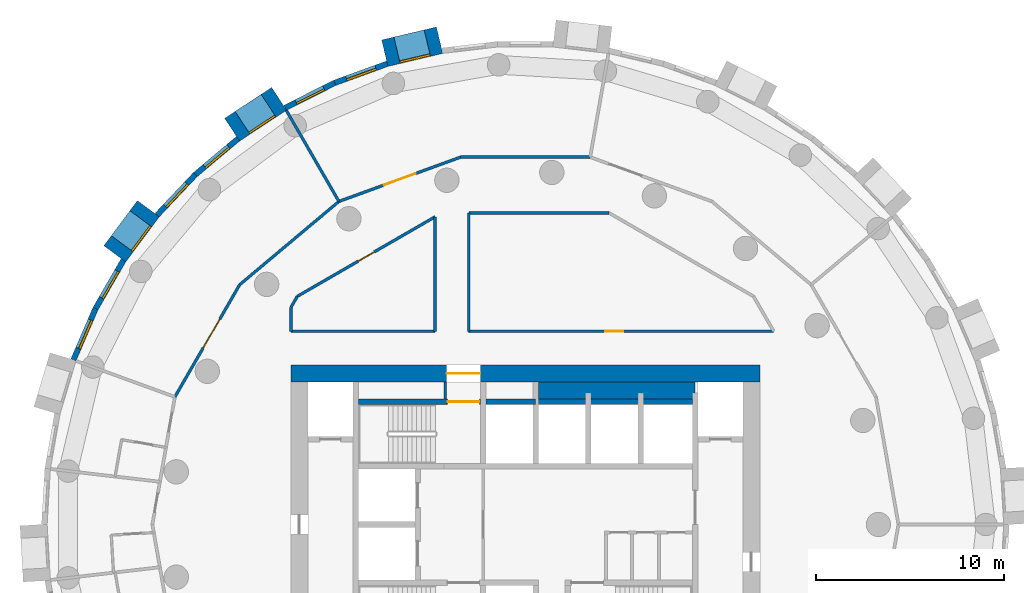
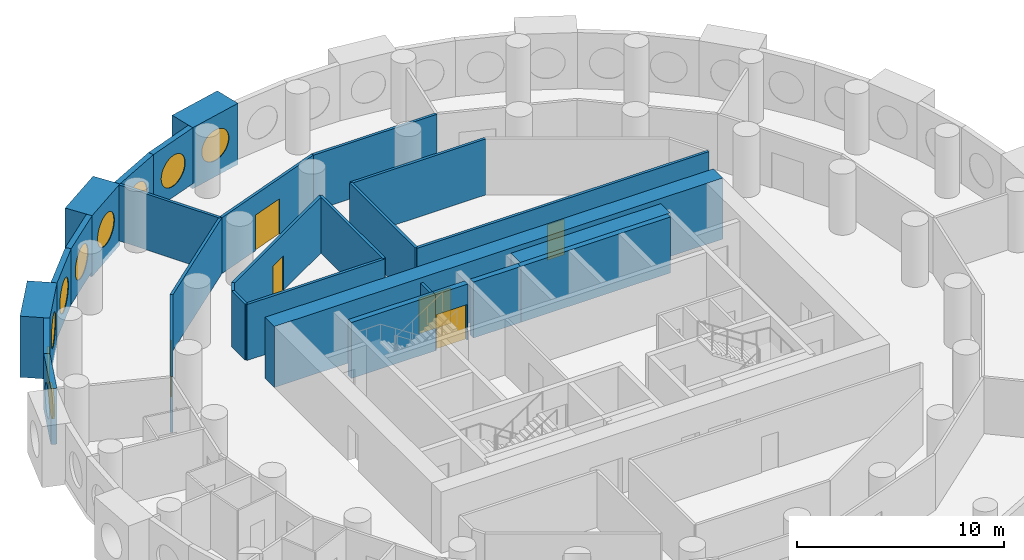
# One storey, part 6 of 9: 29 walls, 9 windows, 6 doors, 15 openings.
"""IFC4 building model written with IfcOpenShell, lengths in metres."""

from ifc_helpers import new_model, si_unit, direction, frame, frame_2d, origin, origin_2d, place, context, subcontext, project, spatial, rectangle, circle, extrude, material, layer, layer_set, type_object, element, fill, save


model = new_model("IFC4")

# Units and contexts
model_context = context("Model", 3, precision=1e-05, world=origin(), true_north=direction((0.0, 1.0)))
body_context = subcontext(model_context, "Body", "Model", "MODEL_VIEW")
ifc_project = project(units=[si_unit("LENGTHUNIT", "METRE"), si_unit("AREAUNIT", "SQUARE_METRE"), si_unit("VOLUMEUNIT", "CUBIC_METRE"), si_unit("PLANEANGLEUNIT", "RADIAN"), si_unit("MASSUNIT", "GRAM", prefix="KILO")], contexts=[model_context])

# Site, building, storey
site_placement = place(None, origin())
site = spatial("IfcSite", under=ifc_project, at=site_placement, CompositionType="ELEMENT")
building_placement = place(site_placement, origin())
building = spatial("IfcBuilding", under=site, at=building_placement, Name="Tracery Tower", CompositionType="ELEMENT")
storey_placement = place(building_placement, frame((0.0, 0.0, 201.60009765625)))
storey = spatial("IfcBuildingStorey", under=building, at=storey_placement, Name="L52", CompositionType="ELEMENT", Elevation=201.60009765625)

# Walls
ifc_material_1 = material(Name="Plasterboard on steel studs", Category="steel")
ifc_layer_1 = layer(ifc_material_1, 0.14990234375)
ifc_layer_set_1 = layer_set([ifc_layer_1], Name="Core room partition 150")
wall_type_1 = type_object("IfcWallType", Name="Core room partition 150", PredefinedType="SOLIDWALL", material=ifc_layer_set_1)
wall_1_placement = place(storey_placement, frame((-4.27490234375, 6.699951171875, 0.0), z_axis=(0.0, 0.0, 1.0), x_axis=(0.0, 1.0, 0.0)))
element("IfcWall", 1, at=wall_1_placement, inside=storey, type_object=wall_type_1, Name="L52 F N room", PredefinedType="SOLIDWALL", context=body_context, shape_type="SweptSolid", body=[
    extrude(rectangle(XDim=0.900146484375, YDim=0.14990234375, at=frame_2d((0.4501953125, 0.0))), origin(), (0.0, 0.0, 1.0), 3.2998046875),
])
ifc_material_2 = material(Name="Concrete C50/60", Category="concrete")
ifc_layer_2 = layer(ifc_material_2, 0.89990234375)
ifc_layer_set_2 = layer_set([ifc_layer_2], Name="Core strip wall 900 C50")
wall_type_2 = type_object("IfcWallType", Name="Core strip wall 900 C50", PredefinedType="SOLIDWALL", material=ifc_layer_set_2)
wall_2_placement = place(storey_placement, frame((0.699951171875, 7.14990234375, 0.0), z_axis=(0.0, 0.0, 1.0), x_axis=(1.0, 0.0, 0.0)))
element("IfcWall", 2, at=wall_2_placement, inside=storey, type_object=wall_type_2, Name="L52 F thick N E", PredefinedType="SOLIDWALL", context=body_context, shape_type="SweptSolid", body=[
    extrude(rectangle(XDim=8.35009765625, YDim=0.89990234375, at=frame_2d((4.175048828125, 0.0))), origin(), (0.0, 0.0, 1.0), 3.2998046875),
])

# Wall, opening, door
ifc_material_3 = material(Name="Concrete C50/60", Category="concrete")
ifc_layer_3 = layer(ifc_material_3, 0.89990234375)
ifc_layer_set_3 = layer_set([ifc_layer_3], Name="Core wall 900 C50")
wall_type_3 = type_object("IfcWallType", Name="Core wall 900 C50", PredefinedType="SOLIDWALL", material=ifc_layer_set_3)
wall_3_placement = place(storey_placement, frame((-12.5, 8.050048828125, 0.0), z_axis=(0.0, 0.0, 1.0), x_axis=(1.0, 0.0, 0.0)))
wall_3 = element("IfcWall", 3, at=wall_3_placement, inside=storey, type_object=wall_type_3, Name="L52 outer N", PredefinedType="SOLIDWALL", context=body_context, shape_type="SweptSolid", body=[
    extrude(rectangle(XDim=25.0, YDim=0.89990234375, at=frame_2d((12.5, 0.0))), origin(), (0.0, 0.0, 1.0), 3.599853515625),
])
opening_1_placement = place(wall_3_placement, frame((8.300048828125, 0.0, 0.0)))
opening_1 = element("IfcOpeningElement", 4, at=opening_1_placement, cuts=wall_3, Name="Opening KD13", PredefinedType="OPENING", context=body_context, shape_type="SweptSolid", body=[
    extrude(rectangle(XDim=1.800048828125, YDim=2.10009765625, at=frame_2d((0.89990234375, 1.050048828125))), frame((0.0, 0.449951171875, 0.0), z_axis=(0.0, -1.0, 0.0), x_axis=(1.0, 0.0, 0.0)), (0.0, 0.0, 1.0), 0.89990234375),
])
ifc_material_4 = material(Name="Steel fire door", Category="steel")
door_type_1 = type_object("IfcDoorType", Name="Core exit door 1800 double", OperationType="NOTDEFINED", PredefinedType="DOOR", material=ifc_material_4)
door_1_placement = place(opening_1_placement, origin())
door_1 = element("IfcDoor", 5, at=door_1_placement, inside=storey, type_object=door_type_1, Name="Core exit door", OperationType="DOUBLE_DOOR_SINGLE_SWING", OverallHeight=2.10009765625, OverallWidth=1.800048828125, PredefinedType="DOOR", context=body_context, shape_type="SweptSolid", body=[
    extrude(rectangle(XDim=1.800048828125, YDim=2.10009765625, at=frame_2d((0.89990234375, 1.050048828125))), frame((0.0, 0.02490234375, 0.0), z_axis=(0.0, -1.0, 0.0), x_axis=(1.0, 0.0, 0.0)), (0.0, 0.0, 1.0), 0.050048828125),
])
fill(opening_1, door_1)

# Wall, opening, window
ifc_material_5 = material(Name="Precast concrete C50/60", Category="concrete")
ifc_layer_4 = layer(ifc_material_5, 1.449951171875)
ifc_layer_set_4 = layer_set([ifc_layer_4], Name="Deep-set bay unit 3000 x 3600, slab edge 300")
wall_type_4 = type_object("IfcWallType", Name="Deep-set bay unit 3000 x 3600, slab edge 300", PredefinedType="ELEMENTEDWALL", material=ifc_layer_set_4)
wall_4_placement = place(storey_placement, frame((-4.57763671875, 25.8193359375, -0.300048828125), z_axis=(0.0, 0.0, 1.0), x_axis=(-0.973042333261, -0.23062657627, 0.0)))
wall_4 = element("IfcWall", 6, at=wall_4_placement, inside=storey, type_object=wall_type_4, Name="Deep-set bay unit 16 at L52", PredefinedType="ELEMENTEDWALL", context=body_context, shape_type="SweptSolid", body=[
    extrude(rectangle(XDim=3.0, YDim=1.449951171875, at=frame_2d((1.5, 0.0))), origin(), (0.0, 0.0, 1.0), 3.599853515625),
])
opening_2_placement = place(wall_4_placement, frame((1.5, 0.0, 1.85009765625)))
opening_2 = element("IfcOpeningElement", 7, at=opening_2_placement, cuts=wall_4, Name="Opening WN1", PredefinedType="OPENING", context=body_context, shape_type="SweptSolid", body=[
    extrude(circle(Radius=0.9000244140625, at=origin_2d()), frame((0.0, 0.73486328125, 0.0), z_axis=(0.0, -1.0, 0.0), x_axis=(1.0, 0.0, 0.0)), (0.0, 0.0, 1.0), 1.469970703125),
])
ifc_material_6 = material(Name="Aluminium frame with tinted double glazing", Category="aluminium")
window_type = type_object("IfcWindowType", Name="Round window 1800", PartitioningType="SINGLE_PANEL", PredefinedType="WINDOW", material=ifc_material_6)
window_1_placement = place(opening_2_placement, origin())
window_1 = element("IfcWindow", 8, at=window_1_placement, inside=storey, type_object=window_type, Name="Round window 16 at L52", OverallHeight=1.800048828125, OverallWidth=1.800048828125, PartitioningType="SINGLE_PANEL", PredefinedType="WINDOW", context=body_context, shape_type="SweptSolid", body=[
    extrude(circle(Radius=0.9000244140625, at=origin_2d()), frame((0.0, 0.69482421875, 0.0), z_axis=(0.0, -1.0, 0.0), x_axis=(1.0, 0.0, 0.0)), (0.0, 0.0, 1.0), 0.10009765625),
])
fill(opening_2, window_1)

wall_5_placement = place(storey_placement, frame((-13.13232421875, 22.696533203125, -0.300048828125), z_axis=(0.0, 0.0, 1.0), x_axis=(-0.835514416706, -0.549468524554, 0.0)))
wall_5 = element("IfcWall", 9, at=wall_5_placement, inside=storey, type_object=wall_type_4, Name="Deep-set bay unit 19 at L52", PredefinedType="ELEMENTEDWALL", context=body_context, shape_type="SweptSolid", body=[
    extrude(rectangle(XDim=3.0, YDim=1.449951171875, at=frame_2d((1.5, 0.0))), origin(), (0.0, 0.0, 1.0), 3.599853515625),
])
opening_3_placement = place(wall_5_placement, frame((1.5, 0.0, 1.85009765625)))
opening_3 = element("IfcOpeningElement", 10, at=opening_3_placement, cuts=wall_5, Name="Opening WN1", PredefinedType="OPENING", context=body_context, shape_type="SweptSolid", body=[
    extrude(circle(Radius=0.9000244140625, at=origin_2d()), frame((0.0, 0.73486328125, 0.0), z_axis=(0.0, -1.0, 0.0), x_axis=(1.0, 0.0, 0.0)), (0.0, 0.0, 1.0), 1.469970703125),
])
window_2_placement = place(opening_3_placement, origin())
window_2 = element("IfcWindow", 11, at=window_2_placement, inside=storey, type_object=window_type, Name="Round window 19 at L52", OverallHeight=1.800048828125, OverallWidth=1.800048828125, PartitioningType="SINGLE_PANEL", PredefinedType="WINDOW", context=body_context, shape_type="SweptSolid", body=[
    extrude(circle(Radius=0.9000244140625, at=origin_2d()), frame((0.0, 0.69482421875, 0.0), z_axis=(0.0, -1.0, 0.0), x_axis=(1.0, 0.0, 0.0)), (0.0, 0.0, 1.0), 0.10009765625),
])
fill(opening_3, window_2)

wall_6_placement = place(storey_placement, frame((-20.10302734375, 16.836181640625, -0.300048828125), z_axis=(0.0, 0.0, 1.0), x_axis=(-0.597183717734, -0.802104486506, 0.0)))
wall_6 = element("IfcWall", 12, at=wall_6_placement, inside=storey, type_object=wall_type_4, Name="Deep-set bay unit 22 at L52", PredefinedType="ELEMENTEDWALL", context=body_context, shape_type="SweptSolid", body=[
    extrude(rectangle(XDim=3.0, YDim=1.449951171875, at=frame_2d((1.5, 0.0))), origin(), (0.0, 0.0, 1.0), 3.599853515625),
])
opening_4_placement = place(wall_6_placement, frame((1.5, 0.0, 1.85009765625)))
opening_4 = element("IfcOpeningElement", 13, at=opening_4_placement, cuts=wall_6, Name="Opening WN1", PredefinedType="OPENING", context=body_context, shape_type="SweptSolid", body=[
    extrude(circle(Radius=0.9000244140625, at=origin_2d()), frame((0.0, 0.73486328125, 0.0), z_axis=(0.0, -1.0, 0.0), x_axis=(1.0, 0.0, 0.0)), (0.0, 0.0, 1.0), 1.469970703125),
])
window_3_placement = place(opening_4_placement, origin())
window_3 = element("IfcWindow", 14, at=window_3_placement, inside=storey, type_object=window_type, Name="Round window 22 at L52", OverallHeight=1.800048828125, OverallWidth=1.800048828125, PartitioningType="SINGLE_PANEL", PredefinedType="WINDOW", context=body_context, shape_type="SweptSolid", body=[
    extrude(circle(Radius=0.9000244140625, at=origin_2d()), frame((0.0, 0.69482421875, 0.0), z_axis=(0.0, -1.0, 0.0), x_axis=(1.0, 0.0, 0.0)), (0.0, 0.0, 1.0), 0.10009765625),
])
fill(opening_4, window_3)

ifc_material_7 = material(Name="Precast concrete C50/60", Category="concrete")
ifc_layer_5 = layer(ifc_material_7, 0.300048828125)
ifc_layer_set_5 = layer_set([ifc_layer_5], Name="Facade panel 3000 x 3300")
wall_type_5 = type_object("IfcWallType", Name="Facade panel 3000 x 3300", PredefinedType="SOLIDWALL", material=ifc_layer_set_5)
wall_7_placement = place(storey_placement, frame((-7.36474609375, 24.566650390625, 0.0), z_axis=(0.0, 0.0, 1.0), x_axis=(-0.939690282133, -0.342026568652, 0.0)))
wall_7 = element("IfcWall", 15, at=wall_7_placement, inside=storey, type_object=wall_type_5, Name="Facade panel 17 at L52", PredefinedType="SOLIDWALL", context=body_context, shape_type="SweptSolid", body=[
    extrude(rectangle(XDim=2.972900390625, YDim=0.300048828125, at=frame_2d((1.486328125, 0.0))), origin(), (0.0, 0.0, 1.0), 3.2998046875),
])
opening_5_placement = place(wall_7_placement, frame((1.486328125, 0.0, 1.5498046875)))
opening_5 = element("IfcOpeningElement", 16, at=opening_5_placement, cuts=wall_7, Name="Opening WN1", PredefinedType="OPENING", context=body_context, shape_type="SweptSolid", body=[
    extrude(circle(Radius=0.9000244140625, at=origin_2d()), frame((0.0, 0.159912109375, 0.0), z_axis=(0.0, -1.0, 0.0), x_axis=(1.0, 0.0, 0.0)), (0.0, 0.0, 1.0), 0.320068359375),
])
window_4_placement = place(opening_5_placement, origin())
window_4 = element("IfcWindow", 17, at=window_4_placement, inside=storey, type_object=window_type, Name="Round window 17 at L52", OverallHeight=1.800048828125, OverallWidth=1.800048828125, PartitioningType="SINGLE_PANEL", PredefinedType="WINDOW", context=body_context, shape_type="SweptSolid", body=[
    extrude(circle(Radius=0.9000244140625, at=origin_2d()), frame((0.0, 0.1201171875, 0.0), z_axis=(0.0, -1.0, 0.0), x_axis=(1.0, 0.0, 0.0)), (0.0, 0.0, 1.0), 0.10009765625),
])
fill(opening_5, window_4)

wall_8_placement = place(storey_placement, frame((-10.158447265625, 23.5498046875, 0.0), z_axis=(0.0, 0.0, 1.0), x_axis=(-0.893637442555, -0.448789618045, 0.0)))
wall_8 = element("IfcWall", 18, at=wall_8_placement, inside=storey, type_object=wall_type_5, Name="Facade panel 18 at L52", PredefinedType="SOLIDWALL", context=body_context, shape_type="SweptSolid", body=[
    extrude(rectangle(XDim=2.972900390625, YDim=0.300048828125, at=frame_2d((1.486328125, 0.0))), origin(), (0.0, 0.0, 1.0), 3.2998046875),
])
opening_6_placement = place(wall_8_placement, frame((1.486328125, 0.0, 1.5498046875)))
opening_6 = element("IfcOpeningElement", 19, at=opening_6_placement, cuts=wall_8, Name="Opening WN1", PredefinedType="OPENING", context=body_context, shape_type="SweptSolid", body=[
    extrude(circle(Radius=0.9000244140625, at=origin_2d()), frame((0.0, 0.159912109375, 0.0), z_axis=(0.0, -1.0, 0.0), x_axis=(1.0, 0.0, 0.0)), (0.0, 0.0, 1.0), 0.320068359375),
])
window_5_placement = place(opening_6_placement, origin())
window_5 = element("IfcWindow", 20, at=window_5_placement, inside=storey, type_object=window_type, Name="Round window 18 at L52", OverallHeight=1.800048828125, OverallWidth=1.800048828125, PartitioningType="SINGLE_PANEL", PredefinedType="WINDOW", context=body_context, shape_type="SweptSolid", body=[
    extrude(circle(Radius=0.9000244140625, at=origin_2d()), frame((0.0, 0.1201171875, 0.0), z_axis=(0.0, -1.0, 0.0), x_axis=(1.0, 0.0, 0.0)), (0.0, 0.0, 1.0), 0.10009765625),
])
fill(opening_6, window_5)

wall_9_placement = place(storey_placement, frame((-15.322998046875, 20.566162109375, 0.0), z_axis=(0.0, 0.0, 1.0), x_axis=(-0.766049350637, -0.642781761089, 0.0)))
wall_9 = element("IfcWall", 21, at=wall_9_placement, inside=storey, type_object=wall_type_5, Name="Facade panel 20 at L52", PredefinedType="SOLIDWALL", context=body_context, shape_type="SweptSolid", body=[
    extrude(rectangle(XDim=2.972900390625, YDim=0.300048828125, at=frame_2d((1.486328125, 0.0))), origin(), (0.0, 0.0, 1.0), 3.2998046875),
])
opening_7_placement = place(wall_9_placement, frame((1.486328125, 0.0, 1.5498046875)))
opening_7 = element("IfcOpeningElement", 22, at=opening_7_placement, cuts=wall_9, Name="Opening WN1", PredefinedType="OPENING", context=body_context, shape_type="SweptSolid", body=[
    extrude(circle(Radius=0.9000244140625, at=origin_2d()), frame((0.0, 0.159912109375, 0.0), z_axis=(0.0, -1.0, 0.0), x_axis=(1.0, 0.0, 0.0)), (0.0, 0.0, 1.0), 0.320068359375),
])
window_6_placement = place(opening_7_placement, origin())
window_6 = element("IfcWindow", 23, at=window_6_placement, inside=storey, type_object=window_type, Name="Round window 20 at L52", OverallHeight=1.800048828125, OverallWidth=1.800048828125, PartitioningType="SINGLE_PANEL", PredefinedType="WINDOW", context=body_context, shape_type="SweptSolid", body=[
    extrude(circle(Radius=0.9000244140625, at=origin_2d()), frame((0.0, 0.1201171875, 0.0), z_axis=(0.0, -1.0, 0.0), x_axis=(1.0, 0.0, 0.0)), (0.0, 0.0, 1.0), 0.10009765625),
])
fill(opening_7, window_6)

wall_10_placement = place(storey_placement, frame((-17.600341796875, 18.6552734375, 0.0), z_axis=(0.0, 0.0, 1.0), x_axis=(-0.686235184166, -0.727379730273, 0.0)))
wall_10 = element("IfcWall", 24, at=wall_10_placement, inside=storey, type_object=wall_type_5, Name="Facade panel 21 at L52", PredefinedType="SOLIDWALL", context=body_context, shape_type="SweptSolid", body=[
    extrude(rectangle(XDim=2.972900390625, YDim=0.300048828125, at=frame_2d((1.486328125, 0.0))), origin(), (0.0, 0.0, 1.0), 3.2998046875),
])
opening_8_placement = place(wall_10_placement, frame((1.486328125, 0.0, 1.5498046875)))
opening_8 = element("IfcOpeningElement", 25, at=opening_8_placement, cuts=wall_10, Name="Opening WN1", PredefinedType="OPENING", context=body_context, shape_type="SweptSolid", body=[
    extrude(circle(Radius=0.9000244140625, at=origin_2d()), frame((0.0, 0.159912109375, 0.0), z_axis=(0.0, -1.0, 0.0), x_axis=(1.0, 0.0, 0.0)), (0.0, 0.0, 1.0), 0.320068359375),
])
window_7_placement = place(opening_8_placement, origin())
window_7 = element("IfcWindow", 26, at=window_7_placement, inside=storey, type_object=window_type, Name="Round window 21 at L52", OverallHeight=1.800048828125, OverallWidth=1.800048828125, PartitioningType="SINGLE_PANEL", PredefinedType="WINDOW", context=body_context, shape_type="SweptSolid", body=[
    extrude(circle(Radius=0.9000244140625, at=origin_2d()), frame((0.0, 0.1201171875, 0.0), z_axis=(0.0, -1.0, 0.0), x_axis=(1.0, 0.0, 0.0)), (0.0, 0.0, 1.0), 0.10009765625),
])
fill(opening_8, window_7)

wall_11_placement = place(storey_placement, frame((-21.432861328125, 14.085205078125, 0.0), z_axis=(0.0, 0.0, 1.0), x_axis=(-0.500016263033, -0.866016014115, 0.0)))
wall_11 = element("IfcWall", 27, at=wall_11_placement, inside=storey, type_object=wall_type_5, Name="Facade panel 23 at L52", PredefinedType="SOLIDWALL", context=body_context, shape_type="SweptSolid", body=[
    extrude(rectangle(XDim=2.97314453125, YDim=0.300048828125, at=frame_2d((1.486572265625, 0.0))), origin(), (0.0, 0.0, 1.0), 3.2998046875),
])
opening_9_placement = place(wall_11_placement, frame((1.486328125, 0.0, 1.5498046875)))
opening_9 = element("IfcOpeningElement", 28, at=opening_9_placement, cuts=wall_11, Name="Opening WN1", PredefinedType="OPENING", context=body_context, shape_type="SweptSolid", body=[
    extrude(circle(Radius=0.9000244140625, at=origin_2d()), frame((0.0, 0.159912109375, 0.0), z_axis=(0.0, -1.0, 0.0), x_axis=(1.0, 0.0, 0.0)), (0.0, 0.0, 1.0), 0.320068359375),
])
window_8_placement = place(opening_9_placement, origin())
window_8 = element("IfcWindow", 29, at=window_8_placement, inside=storey, type_object=window_type, Name="Round window 23 at L52", OverallHeight=1.800048828125, OverallWidth=1.800048828125, PartitioningType="SINGLE_PANEL", PredefinedType="WINDOW", context=body_context, shape_type="SweptSolid", body=[
    extrude(circle(Radius=0.9000244140625, at=origin_2d()), frame((0.0, 0.1201171875, 0.0), z_axis=(0.0, -1.0, 0.0), x_axis=(1.0, 0.0, 0.0)), (0.0, 0.0, 1.0), 0.10009765625),
])
fill(opening_9, window_8)

wall_12_placement = place(storey_placement, frame((-22.91943359375, 11.510498046875, 0.0), z_axis=(0.0, 0.0, 1.0), x_axis=(-0.396078892785, -0.918216483565, 0.0)))
wall_12 = element("IfcWall", 30, at=wall_12_placement, inside=storey, type_object=wall_type_5, Name="Facade panel 24 at L52", PredefinedType="SOLIDWALL", context=body_context, shape_type="SweptSolid", body=[
    extrude(rectangle(XDim=2.972900390625, YDim=0.300048828125, at=frame_2d((1.486328125, 0.0))), origin(), (0.0, 0.0, 1.0), 3.2998046875),
])
opening_10_placement = place(wall_12_placement, frame((1.486328125, 0.0, 1.5498046875)))
opening_10 = element("IfcOpeningElement", 31, at=opening_10_placement, cuts=wall_12, Name="Opening WN1", PredefinedType="OPENING", context=body_context, shape_type="SweptSolid", body=[
    extrude(circle(Radius=0.9000244140625, at=origin_2d()), frame((0.0, 0.159912109375, 0.0), z_axis=(0.0, -1.0, 0.0), x_axis=(1.0, 0.0, 0.0)), (0.0, 0.0, 1.0), 0.320068359375),
])
window_9_placement = place(opening_10_placement, origin())
window_9 = element("IfcWindow", 32, at=window_9_placement, inside=storey, type_object=window_type, Name="Round window 24 at L52", OverallHeight=1.800048828125, OverallWidth=1.800048828125, PartitioningType="SINGLE_PANEL", PredefinedType="WINDOW", context=body_context, shape_type="SweptSolid", body=[
    extrude(circle(Radius=0.9000244140625, at=origin_2d()), frame((0.0, 0.1201171875, 0.0), z_axis=(0.0, -1.0, 0.0), x_axis=(1.0, 0.0, 0.0)), (0.0, 0.0, 1.0), 0.10009765625),
])
fill(opening_10, window_9)

# Walls
ifc_material_8 = material(Name="Plasterboard on steel studs", Category="steel")
ifc_layer_6 = layer(ifc_material_8, 0.14990234375)
ifc_layer_set_6 = layer_set([ifc_layer_6], Name="Partition 150 acoustic unit wall")
wall_type_6 = type_object("IfcWallType", Name="Partition 150 acoustic unit wall", PredefinedType="PARTITIONING", material=ifc_layer_set_6)
wall_13_placement = place(storey_placement, frame((-12.7490234375, 22.0810546875, 0.0), z_axis=(0.0, 0.0, 1.0), x_axis=(0.500010020406, -0.866019618423, 0.0)))
element("IfcWall", 33, at=wall_13_placement, inside=storey, type_object=wall_type_6, Name="Unit wall RB8-043", PredefinedType="PARTITIONING", context=body_context, shape_type="SweptSolid", body=[
    extrude(rectangle(XDim=5.60986328125, YDim=0.14990234375, at=frame_2d((2.804931640625, 0.0))), origin(), (0.0, 0.0, 1.0), 3.2998046875),
])
ifc_material_9 = material(Name="Plasterboard on steel studs", Category="steel")
ifc_layer_7 = layer(ifc_material_9, 0.14990234375)
ifc_layer_set_7 = layer_set([ifc_layer_7], Name="Partition 150 corridor wall")
wall_type_7 = type_object("IfcWallType", Name="Partition 150 corridor wall", PredefinedType="PARTITIONING", material=ifc_layer_set_7)
wall_14_placement = place(storey_placement, frame((-12.50390625, 10.300048828125, 0.0), z_axis=(0.0, 0.0, 1.0), x_axis=(1.0, 0.0, 0.0)))
element("IfcWall", 34, at=wall_14_placement, inside=storey, type_object=wall_type_7, Name="Corridor wall RB8-001", PredefinedType="PARTITIONING", context=body_context, shape_type="SweptSolid", body=[
    extrude(rectangle(XDim=7.68701171875, YDim=0.14990234375, at=frame_2d((3.843505859375, 0.0))), origin(), (0.0, 0.0, 1.0), 3.2998046875),
])

# Wall, opening, door
wall_15_placement = place(storey_placement, frame((-3.02490234375, 10.300048828125, 0.0), z_axis=(0.0, 0.0, 1.0), x_axis=(1.0, 0.0, 0.0)))
wall_15 = element("IfcWall", 35, at=wall_15_placement, inside=storey, type_object=wall_type_7, Name="Corridor wall RB8-002", PredefinedType="PARTITIONING", context=body_context, shape_type="SweptSolid", body=[
    extrude(rectangle(XDim=16.261962890625, YDim=0.14990234375, at=frame_2d((8.130859375, 0.0))), origin(), (0.0, 0.0, 1.0), 3.2998046875),
])
opening_11_placement = place(wall_15_placement, frame((7.2880859375, 0.0, 0.0)))
opening_11 = element("IfcOpeningElement", 36, at=opening_11_placement, cuts=wall_15, Name="Opening RB8-02", PredefinedType="OPENING", context=body_context, shape_type="SweptSolid", body=[
    extrude(rectangle(XDim=0.949951171875, YDim=2.10009765625, at=frame_2d((0.47509765625, 1.050048828125))), frame((0.0, 0.074951171875, 0.0), z_axis=(0.0, -1.0, 0.0), x_axis=(1.0, 0.0, 0.0)), (0.0, 0.0, 1.0), 0.14990234375),
])
ifc_material_10 = material(Name="Timber door leaf", Category="wood")
door_type_2 = type_object("IfcDoorType", Name="Door store 950", OperationType="NOTDEFINED", PredefinedType="DOOR", material=ifc_material_10)
door_2_placement = place(opening_11_placement, origin())
door_2 = element("IfcDoor", 37, at=door_2_placement, inside=storey, type_object=door_type_2, Name="Store door RB8-02", OperationType="SINGLE_SWING_RIGHT", OverallHeight=2.10009765625, OverallWidth=0.949951171875, PredefinedType="DOOR", context=body_context, shape_type="SweptSolid", body=[
    extrude(rectangle(XDim=0.949951171875, YDim=2.10009765625, at=frame_2d((0.47509765625, 1.050048828125))), frame((0.0, 0.02490234375, 0.0), z_axis=(0.0, -1.0, 0.0), x_axis=(1.0, 0.0, 0.0)), (0.0, 0.0, 1.0), 0.050048828125),
])
fill(opening_11, door_2)

# Wall
wall_16_placement = place(storey_placement, frame((-4.821044921875, 10.300048828125, 0.0), z_axis=(0.0, 0.0, 1.0), x_axis=(0.0, 1.0, 0.0)))
element("IfcWall", 38, at=wall_16_placement, inside=storey, type_object=wall_type_7, Name="Corridor wall RB8-013", PredefinedType="PARTITIONING", context=body_context, shape_type="SweptSolid", body=[
    extrude(rectangle(XDim=6.100830078125, YDim=0.14990234375, at=frame_2d((3.05029296875, 0.0))), origin(), (0.0, 0.0, 1.0), 3.2998046875),
])

# Wall, opening, door
wall_17_placement = place(storey_placement, frame((-12.162109375, 12.162109375, 0.0), z_axis=(0.0, 0.0, 1.0), x_axis=(0.866004766557, 0.500035743023, 0.0)))
wall_17 = element("IfcWall", 39, at=wall_17_placement, inside=storey, type_object=wall_type_7, Name="Corridor wall RB8-014", PredefinedType="PARTITIONING", context=body_context, shape_type="SweptSolid", body=[
    extrude(rectangle(XDim=8.47705078125, YDim=0.14990234375, at=frame_2d((4.238525390625, 0.0))), origin(), (0.0, 0.0, 1.0), 3.2998046875),
])
opening_12_placement = place(wall_17_placement, frame((3.739013671875, 0.0, 0.0)))
opening_12 = element("IfcOpeningElement", 40, at=opening_12_placement, cuts=wall_17, Name="Opening RB8-01", PredefinedType="OPENING", context=body_context, shape_type="SweptSolid", body=[
    extrude(rectangle(XDim=1.0, YDim=2.0400390625, at=frame_2d((0.5, 1.02001953125))), frame((0.0, 0.074951171875, 0.0), z_axis=(0.0, -1.0, 0.0), x_axis=(1.0, 0.0, 0.0)), (0.0, 0.0, 1.0), 0.14990234375),
])
ifc_material_11 = material(Name="Timber door leaf", Category="wood")
door_type_3 = type_object("IfcDoorType", Name="Door communal room 1000", OperationType="NOTDEFINED", PredefinedType="DOOR", material=ifc_material_11)
door_3_placement = place(opening_12_placement, origin())
door_3 = element("IfcDoor", 41, at=door_3_placement, inside=storey, type_object=door_type_3, Name="Communal room door RB8-01", OperationType="SINGLE_SWING_LEFT", OverallHeight=2.0400390625, OverallWidth=1.0, PredefinedType="DOOR", context=body_context, shape_type="SweptSolid", body=[
    extrude(rectangle(XDim=1.0, YDim=2.0400390625, at=frame_2d((0.5, 1.02001953125))), frame((0.0, 0.02490234375, 0.0), z_axis=(0.0, -1.0, 0.0), x_axis=(1.0, 0.0, 0.0)), (0.0, 0.0, 1.0), 0.050048828125),
])
fill(opening_12, door_3)

# Walls
wall_18_placement = place(storey_placement, frame((-3.02099609375, 16.614013671875, 0.0), z_axis=(0.0, 0.0, 1.0), x_axis=(1.0, 0.0, 0.0)))
element("IfcWall", 42, at=wall_18_placement, inside=storey, type_object=wall_type_7, Name="Corridor wall RB8-016", PredefinedType="PARTITIONING", context=body_context, shape_type="SweptSolid", body=[
    extrude(rectangle(XDim=7.472900390625, YDim=0.14990234375, at=frame_2d((3.736328125, 0.0))), origin(), (0.0, 0.0, 1.0), 3.2998046875),
])
wall_19_placement = place(storey_placement, frame((-3.02099609375, 10.300048828125, 0.0), z_axis=(0.0, 0.0, 1.0), x_axis=(0.0, 1.0, 0.0)))
element("IfcWall", 43, at=wall_19_placement, inside=storey, type_object=wall_type_7, Name="Corridor wall RB8-017", PredefinedType="PARTITIONING", context=body_context, shape_type="SweptSolid", body=[
    extrude(rectangle(XDim=6.31396484375, YDim=0.14990234375, at=frame_2d((3.156982421875, 0.0))), origin(), (0.0, 0.0, 1.0), 3.2998046875),
])

# Wall, opening, door
wall_20_placement = place(storey_placement, frame((-9.944091796875, 17.222900390625, 0.0), z_axis=(0.0, 0.0, 1.0), x_axis=(0.939672634566, 0.342075050021, 0.0)))
wall_20 = element("IfcWall", 44, at=wall_20_placement, inside=storey, type_object=wall_type_7, Name="Corridor wall RB8-019", PredefinedType="PARTITIONING", context=body_context, shape_type="SweptSolid", body=[
    extrude(rectangle(XDim=6.907958984375, YDim=0.14990234375, at=frame_2d((3.4541015625, 0.0))), origin(), (0.0, 0.0, 1.0), 3.2998046875),
])
opening_13_placement = place(wall_20_placement, frame((2.553955078125, 0.0, 0.0)))
opening_13 = element("IfcOpeningElement", 45, at=opening_13_placement, cuts=wall_20, Name="Opening RB8-07", PredefinedType="OPENING", context=body_context, shape_type="SweptSolid", body=[
    extrude(rectangle(XDim=1.800048828125, YDim=2.10009765625, at=frame_2d((0.89990234375, 1.050048828125))), frame((0.0, 0.074951171875, 0.0), z_axis=(0.0, -1.0, 0.0), x_axis=(1.0, 0.0, 0.0)), (0.0, 0.0, 1.0), 0.14990234375),
])
ifc_material_12 = material(Name="Timber door leaf", Category="wood")
door_type_4 = type_object("IfcDoorType", Name="Door double lounge 1800", OperationType="NOTDEFINED", PredefinedType="DOOR", material=ifc_material_12)
door_4_placement = place(opening_13_placement, origin())
door_4 = element("IfcDoor", 46, at=door_4_placement, inside=storey, type_object=door_type_4, Name="Double lounge door RB8-07", OperationType="DOUBLE_DOOR_SINGLE_SWING", OverallHeight=2.10009765625, OverallWidth=1.800048828125, PredefinedType="DOOR", context=body_context, shape_type="SweptSolid", body=[
    extrude(rectangle(XDim=1.800048828125, YDim=2.10009765625, at=frame_2d((0.89990234375, 1.050048828125))), frame((0.0, 0.02490234375, 0.0), z_axis=(0.0, -1.0, 0.0), x_axis=(1.0, 0.0, 0.0)), (0.0, 0.0, 1.0), 0.050048828125),
])
fill(opening_13, door_4)

# Walls
wall_21_placement = place(storey_placement, frame((-3.452880859375, 19.5859375, 0.0), z_axis=(0.0, 0.0, 1.0), x_axis=(1.0, 0.0, 0.0)))
element("IfcWall", 47, at=wall_21_placement, inside=storey, type_object=wall_type_7, Name="Corridor wall RB8-020", PredefinedType="PARTITIONING", context=body_context, shape_type="SweptSolid", body=[
    extrude(rectangle(XDim=6.90576171875, YDim=0.14990234375, at=frame_2d((3.452880859375, 0.0))), origin(), (0.0, 0.0, 1.0), 3.2998046875),
])
wall_22_placement = place(storey_placement, frame((-15.23486328125, 12.78369140625, 0.0), z_axis=(0.0, 0.0, 1.0), x_axis=(0.766064078986, 0.642764207845, 0.0)))
element("IfcWall", 48, at=wall_22_placement, inside=storey, type_object=wall_type_7, Name="Corridor wall RB8-021", PredefinedType="PARTITIONING", context=body_context, shape_type="SweptSolid", body=[
    extrude(rectangle(XDim=6.906494140625, YDim=0.14990234375, at=frame_2d((3.453125, 0.0))), origin(), (0.0, 0.0, 1.0), 3.2998046875),
])
wall_23_placement = place(storey_placement, frame((-12.5, 11.576904296875, 0.0), z_axis=(0.0, 0.0, 1.0), x_axis=(0.500024767483, 0.866011103799, 0.0)))
element("IfcWall", 49, at=wall_23_placement, inside=storey, type_object=wall_type_7, Name="Corridor wall RB8-022", PredefinedType="PARTITIONING", context=body_context, shape_type="SweptSolid", body=[
    extrude(rectangle(XDim=0.67578125, YDim=0.14990234375, at=frame_2d((0.337890625, 0.0))), origin(), (0.0, 0.0, 1.0), 3.2998046875),
])
wall_24_placement = place(storey_placement, frame((-12.5, 10.300048828125, 0.0), z_axis=(0.0, 0.0, 1.0), x_axis=(0.0, 1.0, 0.0)))
element("IfcWall", 50, at=wall_24_placement, inside=storey, type_object=wall_type_7, Name="Corridor wall RB8-023", PredefinedType="PARTITIONING", context=body_context, shape_type="SweptSolid", body=[
    extrude(rectangle(XDim=1.27685546875, YDim=0.14990234375, at=frame_2d((0.638427734375, 0.0))), origin(), (0.0, 0.0, 1.0), 3.2998046875),
])

# Wall, opening, door
wall_25_placement = place(storey_placement, frame((-18.68798828125, 6.802001953125, 0.0), z_axis=(0.0, 0.0, 1.0), x_axis=(0.499914202267, 0.866074933462, 0.0)))
wall_25 = element("IfcWall", 51, at=wall_25_placement, inside=storey, type_object=wall_type_7, Name="Corridor wall RB8-026", PredefinedType="PARTITIONING", context=body_context, shape_type="SweptSolid", body=[
    extrude(rectangle(XDim=6.906982421875, YDim=0.14990234375, at=frame_2d((3.45361328125, 0.0))), origin(), (0.0, 0.0, 1.0), 3.2998046875),
])
opening_14_placement = place(wall_25_placement, frame((3.00390625, 0.0, 0.0)))
opening_14 = element("IfcOpeningElement", 52, at=opening_14_placement, cuts=wall_25, Name="Opening RB8-08", PredefinedType="OPENING", context=body_context, shape_type="SweptSolid", body=[
    extrude(rectangle(XDim=1.800048828125, YDim=2.10009765625, at=frame_2d((0.89990234375, 1.050048828125))), frame((0.0, 0.074951171875, 0.0), z_axis=(0.0, -1.0, 0.0), x_axis=(1.0, 0.0, 0.0)), (0.0, 0.0, 1.0), 0.14990234375),
])
door_5_placement = place(opening_14_placement, origin())
door_5 = element("IfcDoor", 53, at=door_5_placement, inside=storey, type_object=door_type_4, Name="Double lounge door RB8-08", OperationType="DOUBLE_DOOR_SINGLE_SWING", OverallHeight=2.10009765625, OverallWidth=1.800048828125, PredefinedType="DOOR", context=body_context, shape_type="SweptSolid", body=[
    extrude(rectangle(XDim=1.800048828125, YDim=2.10009765625, at=frame_2d((0.89990234375, 1.050048828125))), frame((0.0, 0.02490234375, 0.0), z_axis=(0.0, -1.0, 0.0), x_axis=(1.0, 0.0, 0.0)), (0.0, 0.0, 1.0), 0.050048828125),
])
fill(opening_14, door_5)

# Wall
ifc_material_13 = material(Name="Concrete C50/60", Category="concrete")
ifc_layer_8 = layer(ifc_material_13, 0.300048828125)
ifc_layer_set_8 = layer_set([ifc_layer_8], Name="Stair wall 300 C50")
wall_type_8 = type_object("IfcWallType", Name="Stair wall 300 C50", PredefinedType="SOLIDWALL", material=ifc_layer_set_8)
wall_26_placement = place(storey_placement, frame((-8.89990234375, 6.550048828125, 0.0), z_axis=(0.0, 0.0, 1.0), x_axis=(1.0, 0.0, 0.0)))
element("IfcWall", 54, at=wall_26_placement, inside=storey, type_object=wall_type_8, Name="L52 F N W", PredefinedType="SOLIDWALL", context=body_context, shape_type="SweptSolid", body=[
    extrude(rectangle(XDim=4.699951171875, YDim=0.300048828125, at=frame_2d((2.35009765625, 0.0))), origin(), (0.0, 0.0, 1.0), 3.2998046875),
])

# Wall, opening, door
wall_27_placement = place(storey_placement, frame((-4.199951171875, 6.550048828125, 0.0), z_axis=(0.0, 0.0, 1.0), x_axis=(1.0, 0.0, 0.0)))
wall_27 = element("IfcWall", 55, at=wall_27_placement, inside=storey, type_object=wall_type_8, Name="L52 F stair N", PredefinedType="SOLIDWALL", context=body_context, shape_type="SweptSolid", body=[
    extrude(rectangle(XDim=1.800048828125, YDim=0.300048828125, at=frame_2d((0.89990234375, 0.0))), origin(), (0.0, 0.0, 1.0), 3.2998046875),
])
opening_15_placement = place(wall_27_placement, frame((0.050048828125, 0.0, 0.0)))
opening_15 = element("IfcOpeningElement", 56, at=opening_15_placement, cuts=wall_27, Name="Opening KD3", PredefinedType="OPENING", context=body_context, shape_type="SweptSolid", body=[
    extrude(rectangle(XDim=1.699951171875, YDim=2.10009765625, at=frame_2d((0.85009765625, 1.050048828125))), frame((0.0, 0.14990234375, 0.0), z_axis=(0.0, -1.0, 0.0), x_axis=(1.0, 0.0, 0.0)), (0.0, 0.0, 1.0), 0.300048828125),
])
ifc_material_14 = material(Name="Steel fire door", Category="steel")
door_type_5 = type_object("IfcDoorType", Name="Core stair door 1700 double", OperationType="NOTDEFINED", PredefinedType="DOOR", material=ifc_material_14)
door_6_placement = place(opening_15_placement, origin())
door_6 = element("IfcDoor", 57, at=door_6_placement, inside=storey, type_object=door_type_5, Name="Stair door vest", OperationType="DOUBLE_DOOR_SINGLE_SWING", OverallHeight=2.10009765625, OverallWidth=1.699951171875, PredefinedType="DOOR", context=body_context, shape_type="SweptSolid", body=[
    extrude(rectangle(XDim=1.699951171875, YDim=2.10009765625, at=frame_2d((0.85009765625, 1.050048828125))), frame((0.0, 0.02490234375, 0.0), z_axis=(0.0, -1.0, 0.0), x_axis=(1.0, 0.0, 0.0)), (0.0, 0.0, 1.0), 0.050048828125),
])
fill(opening_15, door_6)

# Walls
wall_28_placement = place(storey_placement, frame((-2.10009765625, 6.550048828125, 0.0), z_axis=(0.0, 0.0, 1.0), x_axis=(1.0, 0.0, 0.0)))
element("IfcWall", 58, at=wall_28_placement, inside=storey, type_object=wall_type_8, Name="L52 F N E1", PredefinedType="SOLIDWALL", context=body_context, shape_type="SweptSolid", body=[
    extrude(rectangle(XDim=2.650146484375, YDim=0.300048828125, at=frame_2d((1.3251953125, 0.0))), origin(), (0.0, 0.0, 1.0), 3.2998046875),
])
wall_29_placement = place(storey_placement, frame((0.550048828125, 6.550048828125, 0.0), z_axis=(0.0, 0.0, 1.0), x_axis=(1.0, 0.0, 0.0)))
element("IfcWall", 59, at=wall_29_placement, inside=storey, type_object=wall_type_8, Name="L52 F stair strip N E", PredefinedType="SOLIDWALL", context=body_context, shape_type="SweptSolid", body=[
    extrude(rectangle(XDim=8.349853515625, YDim=0.300048828125, at=frame_2d((4.1748046875, 0.0))), origin(), (0.0, 0.0, 1.0), 3.2998046875),
])

save(model, "model.ifc")
